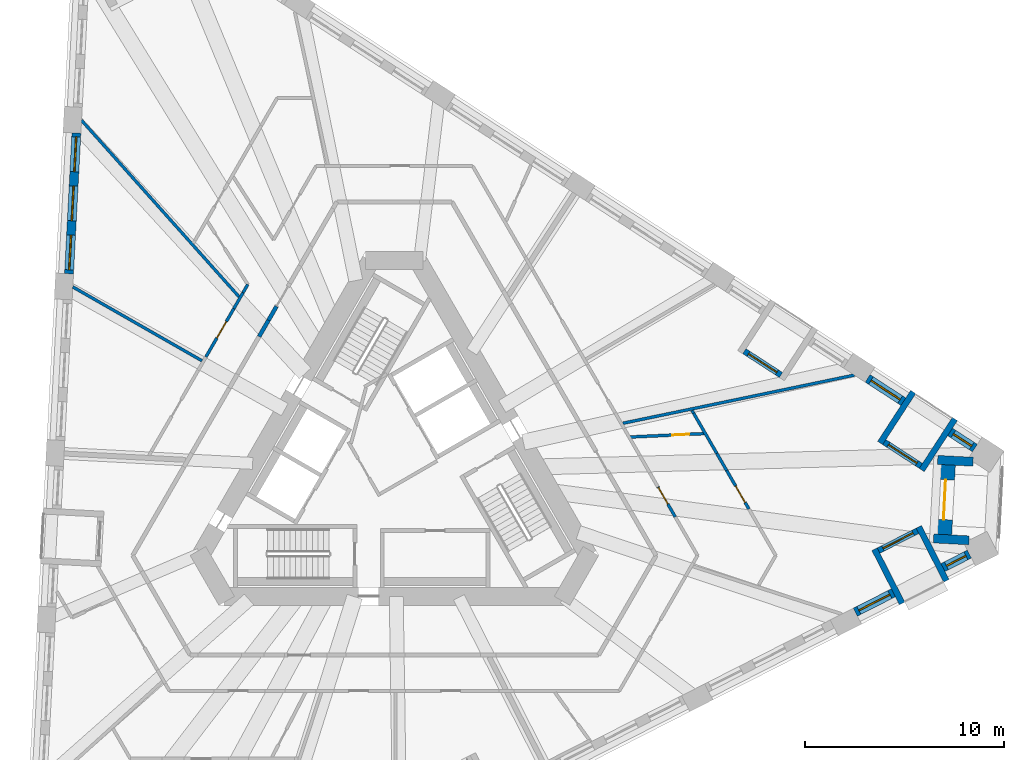
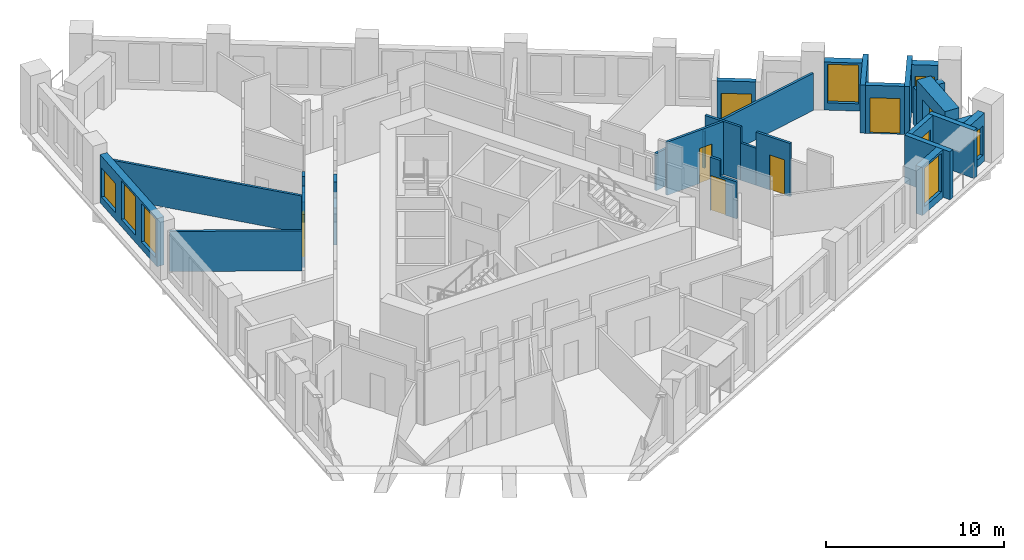
# One storey, part 6 of 12: 29 walls, 8 doors, 7 windows, 15 openings.
"""IFC4 building model written with IfcOpenShell, lengths in metres."""

import ifcopenshell
import ifcopenshell.guid

model = None  # the IFC model being written
_history = None  # IfcOwnerHistory: only IFC2X3 demands one
_inside = {}  # id of a spatial element -> (the spatial element, [elements in it])
_under = {}  # id of a project, library or spatial element -> (it, [spatial elements below it])
_declared = {}  # id of a project -> (the project, [libraries it declares])
_typed = {}  # id of a type object -> (the type object, [elements of that type])
_made_of = {}  # id of a material, layer set ... -> (it, [elements and type objects made of it])


def new_model(schema):
    """Start an empty IFC model of exactly this schema.

    Asked for "IFC4X3", IfcOpenShell would pick the latest addendum, in which some entities
    have other attributes; the version numbers below select the first issue.
    IFC2X3 requires an IfcOwnerHistory on every rooted entity: one is made here for all.
    """
    global model, _history
    if schema == "IFC4X3":
        model = ifcopenshell.file(schema_version=(4, 3, 0, 0))
    else:
        model = ifcopenshell.file(schema=schema)
    _inside.clear()
    _under.clear()
    _declared.clear()
    _typed.clear()
    _made_of.clear()
    _history = None
    if model.schema == "IFC2X3":
        org = make("IfcOrganization", Name="unknown")
        user = make(
            "IfcPersonAndOrganization",
            ThePerson=make("IfcPerson", FamilyName="unknown"),
            TheOrganization=org,
        )
        app = make(
            "IfcApplication",
            ApplicationDeveloper=org,
            Version="unknown",
            ApplicationFullName="unknown",
            ApplicationIdentifier="unknown",
        )
        _history = make(
            "IfcOwnerHistory",
            OwningUser=user,
            OwningApplication=app,
            ChangeAction="ADDED",
            CreationDate=0,
        )
    return model


def make(cls, **values):
    """One entity of the class cls with the attributes given. An attribute that is None is left unset."""
    return model.create_entity(
        cls, **{name: value for name, value in values.items() if value is not None}
    )


def rooted(cls, **values):
    """An entity with a GlobalId (a new one), such as an element, a storey or a relation."""
    return make(cls, GlobalId=ifcopenshell.guid.new(), OwnerHistory=_history, **values)


def si_unit(unit_type, name, prefix=None):
    """IfcSIUnit, for example si_unit("LENGTHUNIT", "METRE", prefix="MILLI")."""
    return make("IfcSIUnit", UnitType=unit_type, Prefix=prefix, Name=name)


def assignment(units):
    """IfcUnitAssignment: the units of a project."""
    return None if units is None else make("IfcUnitAssignment", Units=units)


def point(xyz):
    """IfcCartesianPoint."""
    return None if xyz is None else make("IfcCartesianPoint", Coordinates=xyz)


def direction(xyz):
    """IfcDirection."""
    return None if xyz is None else make("IfcDirection", DirectionRatios=xyz)


def frame(location, z_axis=None, x_axis=None):
    """IfcAxis2Placement3D, a coordinate frame: its origin and axes. An axis left out is left unset."""
    return make(
        "IfcAxis2Placement3D",
        Location=point(location),
        Axis=direction(z_axis),
        RefDirection=direction(x_axis),
    )


def frame_2d(location, x_axis=None):
    """IfcAxis2Placement2D, a coordinate frame in the plane: its origin and x axis."""
    return make(
        "IfcAxis2Placement2D", Location=point(location), RefDirection=direction(x_axis)
    )


def origin():
    """The frame at (0, 0, 0) with its axes left unset."""
    return frame((0.0, 0.0, 0.0))


def place(relative_to, where):
    """IfcLocalPlacement: puts the frame where relative to a parent placement (None: the world)."""
    return make(
        "IfcLocalPlacement", PlacementRelTo=relative_to, RelativePlacement=where
    )


def context(
    kind, dimensions, precision=None, world=None, true_north=None, identifier=None
):
    """IfcGeometricRepresentationContext, for example the 3D "Model" context."""
    return make(
        "IfcGeometricRepresentationContext",
        ContextIdentifier=identifier,
        ContextType=kind,
        CoordinateSpaceDimension=dimensions,
        Precision=precision,
        WorldCoordinateSystem=world,
        TrueNorth=true_north,
    )


def subcontext(parent, identifier, kind, view, scale=None):
    """IfcGeometricRepresentationSubContext, for example "Body" below "Model"."""
    return make(
        "IfcGeometricRepresentationSubContext",
        ContextIdentifier=identifier,
        ContextType=kind,
        ParentContext=parent,
        TargetScale=scale,
        TargetView=view,
    )


def project(units=None, contexts=None):
    """IfcProject with its units and contexts."""
    return rooted(
        "IfcProject",
        Name="project",
        RepresentationContexts=contexts,
        UnitsInContext=assignment(units),
    )


def spatial(cls, under=None, at=None, **own):
    """A site, building, storey or space (cls), placed at a placement, below another one or the project."""
    s = rooted(cls, ObjectPlacement=at, **own)
    if under is not None:
        _under.setdefault(under.id(), (under, []))[1].append(s)
    return s


def polyline(points):
    """IfcPolyline through the points."""
    return make("IfcPolyline", Points=[point(p) for p in points])


def profile(cls, at=None, kind="AREA", **sizes):
    """A parametric profile (cls). Its sizes go by their IFC names, for example OverallWidth=200.0."""
    return make(cls, ProfileType=kind, Position=at, **sizes)


def rectangle(**sizes):
    """IfcRectangleProfileDef."""
    return profile("IfcRectangleProfileDef", **sizes)


def outline(outer, holes=None, kind="AREA"):
    """IfcArbitraryClosedProfileDef: a profile drawn as a closed curve; with holes, ...WithVoids."""
    if holes is None:
        return make("IfcArbitraryClosedProfileDef", ProfileType=kind, OuterCurve=outer)
    return make(
        "IfcArbitraryProfileDefWithVoids",
        ProfileType=kind,
        OuterCurve=outer,
        InnerCurves=holes,
    )


def extrude(swept, where, along, depth):
    """IfcExtrudedAreaSolid: the profile swept, set in the frame where, extruded along a direction by depth."""
    return make(
        "IfcExtrudedAreaSolid",
        SweptArea=swept,
        Position=where,
        ExtrudedDirection=direction(along),
        Depth=depth,
    )


def shape(context_of_items, identifier, shape_type, items):
    """IfcShapeRepresentation: the items that make up one representation, for example the "Body"."""
    return make(
        "IfcShapeRepresentation",
        ContextOfItems=context_of_items,
        RepresentationIdentifier=identifier,
        RepresentationType=shape_type,
        Items=items,
    )


def material(Name=None, Category=None):
    """IfcMaterial."""
    return make("IfcMaterial", Name=Name, Category=Category)


def layer(
    of_material, thickness, ventilated=None, Name=None, Category=None, Priority=None
):
    """IfcMaterialLayer: one layer of a wall or slab, of a material (None: an air gap)."""
    return make(
        "IfcMaterialLayer",
        Material=of_material,
        LayerThickness=thickness,
        IsVentilated=ventilated,
        Name=Name,
        Category=Category,
        Priority=Priority,
    )


def layer_set(layers, Name=None):
    """IfcMaterialLayerSet."""
    return make("IfcMaterialLayerSet", MaterialLayers=layers, LayerSetName=Name)


def made_of(thing, what):
    """Note that an element or type object is made of a material, layer set ...; save() writes the relation."""
    if what is not None:
        _made_of.setdefault(what.id(), (what, []))[1].append(thing)
    return thing


def type_object(cls, material=None, **own):
    """A type object (cls), such as IfcWallType, which elements share."""
    return made_of(rooted(cls, **own), material)


def element(
    cls,
    number,
    at=None,
    inside=None,
    cuts=None,
    type_object=None,
    material=None,
    context=None,
    identifier="Body",
    shape_type=None,
    held_by="IfcProductDefinitionShape",
    body=None,
    shapes=None,
    **own,
):
    """One element of the class cls, such as IfcWall. Its Tag is "e" and its number.

    at: its placement. inside: the storey or other place that contains it. cuts: it is an
    opening in that element (IfcRelVoidsElement). A single representation is given by context,
    identifier, shape_type and body (its items); several are given by shapes. held_by: the class
    of the entity that holds the representations. save() writes the other relations.
    """
    e = rooted(cls, Tag="e%d" % number, ObjectPlacement=at, **own)
    if body is not None:
        shapes = [shape(context, identifier, shape_type, body)]
    if shapes is not None:
        e.Representation = make(held_by, Representations=shapes)
    if inside is not None:
        _inside.setdefault(inside.id(), (inside, []))[1].append(e)
    if cuts is not None:
        rooted(
            "IfcRelVoidsElement", RelatingBuildingElement=cuts, RelatedOpeningElement=e
        )
    if type_object is not None:
        _typed.setdefault(type_object.id(), (type_object, []))[1].append(e)
    return made_of(e, material)


def fill(opening, filler):
    """IfcRelFillsElement: the door or window that sits in an opening."""
    return rooted(
        "IfcRelFillsElement",
        RelatingOpeningElement=opening,
        RelatedBuildingElement=filler,
    )


def aggregate(whole, parts):
    """IfcRelAggregates: a whole, such as a stair, and the parts it consists of."""
    return rooted("IfcRelAggregates", RelatingObject=whole, RelatedObjects=parts)


def save(model, path):
    """Write the relations noted so far, then the file.

    IfcRelAggregates (storeys below a building ...), IfcRelContainedInSpatialStructure (elements
    in a storey), IfcRelDefinesByType, IfcRelAssociatesMaterial and IfcRelDeclares: one each for
    every whole, place, type object, material and project.
    """
    for whole, parts in _under.values():
        aggregate(whole, parts)
    for where, things in _inside.values():
        rooted(
            "IfcRelContainedInSpatialStructure",
            RelatedElements=things,
            RelatingStructure=where,
        )
    for kind, things in _typed.values():
        rooted("IfcRelDefinesByType", RelatedObjects=things, RelatingType=kind)
    for what, things in _made_of.values():
        rooted("IfcRelAssociatesMaterial", RelatedObjects=things, RelatingMaterial=what)
    for by, libraries in _declared.values():
        rooted("IfcRelDeclares", RelatingContext=by, RelatedDefinitions=libraries)
    model.write(path)


model = new_model("IFC4")

# Units and contexts
model_context = context("Model", 3, precision=1e-05, world=origin(), true_north=direction((0.0, 1.0)))
body_context = subcontext(model_context, "Body", "Model", "MODEL_VIEW")
ifc_project = project(units=[si_unit("LENGTHUNIT", "METRE"), si_unit("AREAUNIT", "SQUARE_METRE"), si_unit("VOLUMEUNIT", "CUBIC_METRE"), si_unit("PLANEANGLEUNIT", "RADIAN"), si_unit("MASSUNIT", "GRAM", prefix="KILO")], contexts=[model_context])

# Site, building, storey
site_placement = place(None, origin())
site = spatial("IfcSite", under=ifc_project, at=site_placement, CompositionType="ELEMENT")
building_placement = place(site_placement, origin())
building = spatial("IfcBuilding", under=site, at=building_placement, Name="Tramontana Tower", CompositionType="ELEMENT")
storey_placement = place(building_placement, frame((0.0, 0.0, 133.60009765625)))
storey = spatial("IfcBuildingStorey", under=building, at=storey_placement, Name="L30", CompositionType="ELEMENT", Elevation=133.60009765625)

# Walls
ifc_material_1 = material(Name="Blockwork", Category="masonry")
ifc_layer_1 = layer(ifc_material_1, 0.199951171875)
ifc_layer_set_1 = layer_set([ifc_layer_1], Name="ENTRY WALL 200")
wall_type_1 = type_object("IfcWallType", Name="ENTRY WALL 200", PredefinedType="SOLIDWALL", material=ifc_layer_set_1)
wall_1_placement = place(storey_placement, frame((-6.790283203125, 6.739013671875, 0.0), z_axis=(0.0, 0.0, 1.0), x_axis=(0.500118100521, 0.865957207679, 0.0)))
element("IfcWall", 1, at=wall_1_placement, inside=storey, type_object=wall_type_1, Name="Wall v30-ew4-5", PredefinedType="SOLIDWALL", context=body_context, shape_type="SweptSolid", body=[
    extrude(rectangle(XDim=0.943603515625, YDim=0.199951171875, at=frame_2d((0.4716796875, 0.0))), origin(), (0.0, 0.0, 1.0), 2.5498046875),
])
wall_2_placement = place(storey_placement, frame((-6.318359375, 7.55615234375, 0.0), z_axis=(0.0, 0.0, 1.0), x_axis=(0.499942357345, 0.866058681229, 0.0)))
element("IfcWall", 2, at=wall_2_placement, inside=storey, type_object=wall_type_1, Name="Wall v30-ew4-6", PredefinedType="SOLIDWALL", context=body_context, shape_type="SweptSolid", body=[
    extrude(rectangle(XDim=0.80078125, YDim=0.199951171875, at=frame_2d((0.400390625, 0.0))), origin(), (0.0, 0.0, 1.0), 3.64990234375),
])

# Wall, openings, windows
ifc_material_2 = material(Name="Precast concrete 60 MPa", Category="concrete")
ifc_layer_2 = layer(ifc_material_2, 0.449951171875)
ifc_layer_set_2 = layer_set([ifc_layer_2], Name="Precast concrete 60 MPa, 450 mm")
wall_type_2 = type_object("IfcWallType", Name="EW1 Stone-faced precast wall 450", PredefinedType="SOLIDWALL", material=ifc_layer_set_2)
wall_3_placement = place(storey_placement, frame((-15.959716796875, 16.95166015625, 0.0), z_axis=(0.0, 0.0, 1.0), x_axis=(-0.052337766399, -0.998629439887, 0.0)))
wall_3 = element("IfcWall", 3, at=wall_3_placement, inside=storey, type_object=wall_type_2, Name="External wall L30 face 0 bay 2", PredefinedType="SOLIDWALL", context=body_context, shape_type="SweptSolid", body=[
    extrude(rectangle(XDim=7.07177734375, YDim=0.449951171875, at=frame_2d((3.535888671875, 0.0))), origin(), (0.0, 0.0, 1.0), 3.2998046875),
])
opening_1_placement = place(wall_3_placement, frame((0.1953125, 0.0, 0.5)))
opening_1 = element("IfcOpeningElement", 4, at=opening_1_placement, cuts=wall_3, Name="Opening M2L", PredefinedType="OPENING", context=body_context, shape_type="SweptSolid", body=[
    extrude(rectangle(XDim=1.75, YDim=2.0, at=frame_2d((0.875, 1.0))), frame((0.0, 0.23486328125, 0.0), z_axis=(0.0, -1.0, 0.0), x_axis=(1.0, 0.0, 0.0)), (0.0, 0.0, 1.0), 0.469970703125),
])
opening_2_placement = place(wall_3_placement, frame((2.660888671875, 0.0, 0.5)))
opening_2 = element("IfcOpeningElement", 5, at=opening_2_placement, cuts=wall_3, Name="Opening M2", PredefinedType="OPENING", context=body_context, shape_type="SweptSolid", body=[
    extrude(rectangle(XDim=1.75, YDim=2.64990234375, at=frame_2d((0.875, 1.324951171875))), frame((0.0, 0.23486328125, 0.0), z_axis=(0.0, -1.0, 0.0), x_axis=(1.0, 0.0, 0.0)), (0.0, 0.0, 1.0), 0.469970703125),
])
opening_3_placement = place(wall_3_placement, frame((5.126220703125, 0.0, 0.5)))
opening_3 = element("IfcOpeningElement", 6, at=opening_3_placement, cuts=wall_3, Name="Opening M2", PredefinedType="OPENING", context=body_context, shape_type="SweptSolid", body=[
    extrude(rectangle(XDim=1.75, YDim=2.64990234375, at=frame_2d((0.875, 1.324951171875))), frame((0.0, 0.23486328125, 0.0), z_axis=(0.0, -1.0, 0.0), x_axis=(1.0, 0.0, 0.0)), (0.0, 0.0, 1.0), 0.469970703125),
])
ifc_material_3 = material(Name="Aluminum frame, double glazing unit", Category="aluminium")
window_type_1 = type_object("IfcWindowType", Name="M2 Window 1.75 x 2.65", PartitioningType="SINGLE_PANEL", PredefinedType="WINDOW", material=ifc_material_3)
window_1_placement = place(opening_2_placement, origin())
window_1 = element("IfcWindow", 7, at=window_1_placement, inside=storey, type_object=window_type_1, Name="Window M2 L30 face 0 module 5", OverallHeight=2.64990234375, OverallWidth=1.75, PartitioningType="SINGLE_PANEL", PredefinedType="WINDOW", context=body_context, shape_type="SweptSolid", body=[
    extrude(rectangle(XDim=1.75, YDim=2.64990234375, at=frame_2d((0.875, 1.324951171875))), frame((0.0, 0.030029296875, 0.0), z_axis=(0.0, -1.0, 0.0), x_axis=(1.0, 0.0, 0.0)), (0.0, 0.0, 1.0), 0.06005859375),
])
fill(opening_2, window_1)
window_2_placement = place(opening_3_placement, origin())
window_2 = element("IfcWindow", 8, at=window_2_placement, inside=storey, type_object=window_type_1, Name="Window M2 L30 face 0 module 6", OverallHeight=2.64990234375, OverallWidth=1.75, PartitioningType="SINGLE_PANEL", PredefinedType="WINDOW", context=body_context, shape_type="SweptSolid", body=[
    extrude(rectangle(XDim=1.75, YDim=2.64990234375, at=frame_2d((0.875, 1.324951171875))), frame((0.0, 0.030029296875, 0.0), z_axis=(0.0, -1.0, 0.0), x_axis=(1.0, 0.0, 0.0)), (0.0, 0.0, 1.0), 0.06005859375),
])
fill(opening_3, window_2)
ifc_material_4 = material(Name="Aluminum frame, double glazing unit", Category="aluminium")
window_type_2 = type_object("IfcWindowType", Name="M2L Window 1.75 x 2", PartitioningType="SINGLE_PANEL", PredefinedType="WINDOW", material=ifc_material_4)
window_3_placement = place(opening_1_placement, origin())
window_3 = element("IfcWindow", 9, at=window_3_placement, inside=storey, type_object=window_type_2, Name="Window M2L L30 face 0 module 4", OverallHeight=2.0, OverallWidth=1.75, PartitioningType="SINGLE_PANEL", PredefinedType="WINDOW", context=body_context, shape_type="SweptSolid", body=[
    extrude(rectangle(XDim=1.75, YDim=2.0, at=frame_2d((0.875, 1.0))), frame((0.0, 0.030029296875, 0.0), z_axis=(0.0, -1.0, 0.0), x_axis=(1.0, 0.0, 0.0)), (0.0, 0.0, 1.0), 0.06005859375),
])
fill(opening_1, window_3)

# Wall, opening, window
wall_4_placement = place(storey_placement, frame((23.1357421875, -7.094970703125, 0.0), z_axis=(0.0, 0.0, 1.0), x_axis=(0.890979432498, 0.454043666254, 0.0)))
wall_4 = element("IfcWall", 10, at=wall_4_placement, inside=storey, type_object=wall_type_2, Name="External wall L30 face 1 bay 6", PredefinedType="SOLIDWALL", context=body_context, shape_type="SweptSolid", body=[
    extrude(rectangle(XDim=2.140625, YDim=0.449951171875, at=frame_2d((1.0703125, 0.0))), origin(), (0.0, 0.0, 1.0), 3.2998046875),
])
opening_4_placement = place(wall_4_placement, frame((0.1953125, 0.0, 0.5)))
opening_4 = element("IfcOpeningElement", 11, at=opening_4_placement, cuts=wall_4, Name="Opening M2", PredefinedType="OPENING", context=body_context, shape_type="SweptSolid", body=[
    extrude(rectangle(XDim=1.75, YDim=2.64990234375, at=frame_2d((0.875, 1.324951171875))), frame((0.0, 0.23486328125, 0.0), z_axis=(0.0, -1.0, 0.0), x_axis=(1.0, 0.0, 0.0)), (0.0, 0.0, 1.0), 0.469970703125),
])
window_4_placement = place(opening_4_placement, origin())
window_4 = element("IfcWindow", 12, at=window_4_placement, inside=storey, type_object=window_type_1, Name="Window M2 L30 face 1 module 16", OverallHeight=2.64990234375, OverallWidth=1.75, PartitioningType="SINGLE_PANEL", PredefinedType="WINDOW", context=body_context, shape_type="SweptSolid", body=[
    extrude(rectangle(XDim=1.75, YDim=2.64990234375, at=frame_2d((0.875, 1.324951171875))), frame((0.0, 0.030029296875, 0.0), z_axis=(0.0, -1.0, 0.0), x_axis=(1.0, 0.0, 0.0)), (0.0, 0.0, 1.0), 0.06005859375),
])
fill(opening_4, window_4)

wall_5_placement = place(storey_placement, frame((27.529296875, -4.856201171875, 0.0), z_axis=(0.0, 0.0, 1.0), x_axis=(0.890994495378, 0.454014106836, 0.0)))
wall_5 = element("IfcWall", 13, at=wall_5_placement, inside=storey, type_object=wall_type_2, Name="External wall L30 face 1 bay 6", PredefinedType="SOLIDWALL", context=body_context, shape_type="SweptSolid", body=[
    extrude(rectangle(XDim=1.49072265625, YDim=0.449951171875, at=frame_2d((0.745361328125, 0.0))), origin(), (0.0, 0.0, 1.0), 3.2998046875),
])
opening_5_placement = place(wall_5_placement, frame((0.1953125, 0.0, 0.5)))
opening_5 = element("IfcOpeningElement", 14, at=opening_5_placement, cuts=wall_5, Name="Opening N2L", PredefinedType="OPENING", context=body_context, shape_type="SweptSolid", body=[
    extrude(rectangle(XDim=1.10009765625, YDim=2.0, at=frame_2d((0.550048828125, 1.0))), frame((0.0, 0.23486328125, 0.0), z_axis=(0.0, -1.0, 0.0), x_axis=(1.0, 0.0, 0.0)), (0.0, 0.0, 1.0), 0.469970703125),
])
ifc_material_5 = material(Name="Aluminum frame, double glazing unit", Category="aluminium")
window_type_3 = type_object("IfcWindowType", Name="N2L Window 1.1 x 2", PartitioningType="SINGLE_PANEL", PredefinedType="WINDOW", material=ifc_material_5)
window_5_placement = place(opening_5_placement, origin())
window_5 = element("IfcWindow", 15, at=window_5_placement, inside=storey, type_object=window_type_3, Name="Window N2L L30 face 1 module 18", OverallHeight=2.0, OverallWidth=1.10009765625, PartitioningType="SINGLE_PANEL", PredefinedType="WINDOW", context=body_context, shape_type="SweptSolid", body=[
    extrude(rectangle(XDim=1.10009765625, YDim=2.0, at=frame_2d((0.550048828125, 1.0))), frame((0.0, 0.030029296875, 0.0), z_axis=(0.0, -1.0, 0.0), x_axis=(1.0, 0.0, 0.0)), (0.0, 0.0, 1.0), 0.06005859375),
])
fill(opening_5, window_5)

wall_6_placement = place(storey_placement, frame((29.13623046875, 1.14013671875, 0.0), z_axis=(0.0, 0.0, 1.0), x_axis=(-0.838668089672, 0.544642851203, 0.0)))
wall_6 = element("IfcWall", 16, at=wall_6_placement, inside=storey, type_object=wall_type_2, Name="External wall L30 face 2 bay 1", PredefinedType="SOLIDWALL", context=body_context, shape_type="SweptSolid", body=[
    extrude(rectangle(XDim=1.490478515625, YDim=0.449951171875, at=frame_2d((0.7451171875, 0.0))), origin(), (0.0, 0.0, 1.0), 3.2998046875),
])
opening_6_placement = place(wall_6_placement, frame((0.1953125, 0.0, 0.5)))
opening_6 = element("IfcOpeningElement", 17, at=opening_6_placement, cuts=wall_6, Name="Opening N2L", PredefinedType="OPENING", context=body_context, shape_type="SweptSolid", body=[
    extrude(rectangle(XDim=1.10009765625, YDim=2.0, at=frame_2d((0.550048828125, 1.0))), frame((0.0, 0.23486328125, 0.0), z_axis=(0.0, -1.0, 0.0), x_axis=(1.0, 0.0, 0.0)), (0.0, 0.0, 1.0), 0.469970703125),
])
window_6_placement = place(opening_6_placement, origin())
window_6 = element("IfcWindow", 18, at=window_6_placement, inside=storey, type_object=window_type_3, Name="Window N2L L30 face 2 module 1", OverallHeight=2.0, OverallWidth=1.10009765625, PartitioningType="SINGLE_PANEL", PredefinedType="WINDOW", context=body_context, shape_type="SweptSolid", body=[
    extrude(rectangle(XDim=1.10009765625, YDim=2.0, at=frame_2d((0.550048828125, 1.0))), frame((0.0, 0.030029296875, 0.0), z_axis=(0.0, -1.0, 0.0), x_axis=(1.0, 0.0, 0.0)), (0.0, 0.0, 1.0), 0.06005859375),
])
fill(opening_6, window_6)

wall_7_placement = place(storey_placement, frame((25.5458984375, 3.471923828125, 0.0), z_axis=(0.0, 0.0, 1.0), x_axis=(-0.838675466927, 0.544631491171, 0.0)))
wall_7 = element("IfcWall", 19, at=wall_7_placement, inside=storey, type_object=wall_type_2, Name="External wall L30 face 2 bay 1", PredefinedType="SOLIDWALL", context=body_context, shape_type="SweptSolid", body=[
    extrude(rectangle(XDim=2.140380859375, YDim=0.449951171875, at=frame_2d((1.0703125, 0.0))), origin(), (0.0, 0.0, 1.0), 3.2998046875),
])
opening_7_placement = place(wall_7_placement, frame((0.1953125, 0.0, 0.5)))
opening_7 = element("IfcOpeningElement", 20, at=opening_7_placement, cuts=wall_7, Name="Opening M2", PredefinedType="OPENING", context=body_context, shape_type="SweptSolid", body=[
    extrude(rectangle(XDim=1.75, YDim=2.64990234375, at=frame_2d((0.875, 1.324951171875))), frame((0.0, 0.23486328125, 0.0), z_axis=(0.0, -1.0, 0.0), x_axis=(1.0, 0.0, 0.0)), (0.0, 0.0, 1.0), 0.469970703125),
])
window_7_placement = place(opening_7_placement, origin())
window_7 = element("IfcWindow", 21, at=window_7_placement, inside=storey, type_object=window_type_1, Name="Window M2 L30 face 2 module 3", OverallHeight=2.64990234375, OverallWidth=1.75, PartitioningType="SINGLE_PANEL", PredefinedType="WINDOW", context=body_context, shape_type="SweptSolid", body=[
    extrude(rectangle(XDim=1.75, YDim=2.64990234375, at=frame_2d((0.875, 1.324951171875))), frame((0.0, 0.030029296875, 0.0), z_axis=(0.0, -1.0, 0.0), x_axis=(1.0, 0.0, 0.0)), (0.0, 0.0, 1.0), 0.06005859375),
])
fill(opening_7, window_7)

# Walls
for number, where, z_axis, x_axis, name in (
    (22, (29.04296875, 0.45556640625, 0.0), (0.0, 0.0, 1.0), (-0.998625399692, 0.05241479839, 0.0), "Corner loggia side wall L30 K32l"),
    (23, (28.836181640625, -3.489013671875, 0.0), (0.0, 0.0, 1.0), (-0.998625399692, 0.05241479839, 0.0), "Corner loggia side wall L30 K32r"),
):
    element("IfcWall", number, at=place(storey_placement, frame(where, z_axis=z_axis, x_axis=x_axis)), inside=storey, type_object=wall_type_2, Name=name, PredefinedType="SOLIDWALL", context=body_context, shape_type="SweptSolid", body=[
        extrude(rectangle(XDim=1.779296875, YDim=0.449951171875, at=frame_2d((0.8896484375, 0.0))), origin(), (0.0, 0.0, 1.0), 2.5498046875),
    ])

# Wall, opening, door
ifc_material_6 = material(Name="Precast concrete 60 MPa", Category="concrete")
ifc_layer_3 = layer(ifc_material_6, 0.89990234375)
ifc_layer_set_3 = layer_set([ifc_layer_3], Name="EW2 Stone-faced corner loggia wall 900")
wall_type_3 = type_object("IfcWallType", Name="EW2 Stone-faced corner loggia wall 900", PredefinedType="SOLIDWALL", material=ifc_layer_set_3)
wall_8_placement = place(storey_placement, frame((27.70361328125, 0.300537109375, 0.0), z_axis=(0.0, 0.0, 1.0), x_axis=(-0.052317189757, -0.998630518088, 0.0)))
wall_8 = element("IfcWall", 24, at=wall_8_placement, inside=storey, type_object=wall_type_3, Name="Corner loggia wall L30 K32", PredefinedType="SOLIDWALL", context=body_context, shape_type="SweptSolid", body=[
    extrude(rectangle(XDim=3.5, YDim=0.89990234375, at=frame_2d((1.75, 0.0))), origin(), (0.0, 0.0, 1.0), 3.2998046875),
])
opening_8_placement = place(wall_8_placement, frame((0.75, 0.0, 0.0)))
opening_8 = element("IfcOpeningElement", 25, at=opening_8_placement, cuts=wall_8, Name="Opening BD-32C", PredefinedType="OPENING", context=body_context, shape_type="SweptSolid", body=[
    extrude(rectangle(XDim=2.0, YDim=2.39990234375, at=frame_2d((1.0, 1.199951171875))), frame((0.0, 0.4599609375, 0.0), z_axis=(0.0, -1.0, 0.0), x_axis=(1.0, 0.0, 0.0)), (0.0, 0.0, 1.0), 0.919921875),
])
ifc_material_7 = material(Name="Aluminum frame, double glazing unit", Category="aluminium")
door_type_1 = type_object("IfcDoorType", Name="BC1 Sliding door 2 x 2.4", OperationType="SLIDING_TO_LEFT", PredefinedType="DOOR", material=ifc_material_7)
door_1_placement = place(opening_8_placement, origin())
door_1 = element("IfcDoor", 26, at=door_1_placement, inside=storey, type_object=door_type_1, Name="Corner loggia door L30 K32", OperationType="SLIDING_TO_LEFT", OverallHeight=2.39990234375, OverallWidth=2.0, PredefinedType="DOOR", context=body_context, shape_type="SweptSolid", body=[
    extrude(rectangle(XDim=2.0, YDim=2.39990234375, at=frame_2d((1.0, 1.199951171875))), frame((0.0, 0.02490234375, 0.0), z_axis=(0.0, -1.0, 0.0), x_axis=(1.0, 0.0, 0.0)), (0.0, 0.0, 1.0), 0.050048828125),
])
fill(opening_8, door_1)

ifc_material_8 = material(Name="Precast concrete 60 MPa", Category="concrete")
ifc_layer_4 = layer(ifc_material_8, 0.300048828125)
ifc_layer_set_4 = layer_set([ifc_layer_4], Name="LW1 Stone-faced loggia wall 300")
wall_type_4 = type_object("IfcWallType", Name="LW1 Stone-faced loggia wall 300", PredefinedType="SOLIDWALL", material=ifc_layer_set_4)
wall_9_placement = place(storey_placement, frame((24.30029296875, -4.00439453125, 0.0), z_axis=(0.0, 0.0, 1.0), x_axis=(0.891013126725, 0.4539775413, 0.0)))
wall_9 = element("IfcWall", 27, at=wall_9_placement, inside=storey, type_object=wall_type_4, Name="Loggia wall L30 G3S1.16", PredefinedType="SOLIDWALL", context=body_context, shape_type="SweptSolid", body=[
    extrude(rectangle(XDim=2.1904296875, YDim=0.300048828125, at=frame_2d((1.09521484375, 0.0))), origin(), (0.0, 0.0, 1.0), 3.2998046875),
])
opening_9_placement = place(wall_9_placement, frame((0.245361328125, 0.0, 0.0)))
opening_9 = element("IfcOpeningElement", 28, at=opening_9_placement, cuts=wall_9, Name="Opening BD-3S1-16", PredefinedType="OPENING", context=body_context, shape_type="SweptSolid", body=[
    extrude(rectangle(XDim=1.699951171875, YDim=2.449951171875, at=frame_2d((0.85009765625, 1.22509765625))), frame((0.0, 0.159912109375, 0.0), z_axis=(0.0, -1.0, 0.0), x_axis=(1.0, 0.0, 0.0)), (0.0, 0.0, 1.0), 0.320068359375),
])
ifc_material_9 = material(Name="Aluminum frame, double glazing unit", Category="aluminium")
door_type_2 = type_object("IfcDoorType", Name="BD2 Sliding door 1.7 x 2.45", OperationType="SLIDING_TO_LEFT", PredefinedType="DOOR", material=ifc_material_9)
door_2_placement = place(opening_9_placement, origin())
door_2 = element("IfcDoor", 29, at=door_2_placement, inside=storey, type_object=door_type_2, Name="Loggia door L30 G3S1.16", OperationType="SLIDING_TO_LEFT", OverallHeight=2.449951171875, OverallWidth=1.699951171875, PredefinedType="DOOR", context=body_context, shape_type="SweptSolid", body=[
    extrude(rectangle(XDim=1.699951171875, YDim=2.449951171875, at=frame_2d((0.85009765625, 1.22509765625))), frame((0.0, 0.02490234375, 0.0), z_axis=(0.0, -1.0, 0.0), x_axis=(1.0, 0.0, 0.0)), (0.0, 0.0, 1.0), 0.050048828125),
])
fill(opening_9, door_2)

# Walls
wall_10_placement = place(storey_placement, frame((25.483154296875, -6.656494140625, 0.0), z_axis=(0.0, 0.0, 1.0), x_axis=(-0.453988129332, 0.891007731968, 0.0)))
element("IfcWall", 30, at=wall_10_placement, inside=storey, type_object=wall_type_4, Name="Loggia return L30 G3S1.16a", PredefinedType="SOLIDWALL", context=body_context, shape_type="SweptSolid", body=[
    extrude(rectangle(XDim=3.05029296875, YDim=0.300048828125, at=frame_2d((1.525146484375, 0.0))), origin(), (0.0, 0.0, 1.0), 3.2998046875),
])
wall_11_placement = place(storey_placement, frame((27.7021484375, -5.525634765625, 0.0), z_axis=(0.0, 0.0, 1.0), x_axis=(-0.453956959009, 0.891023613249, 0.0)))
element("IfcWall", 31, at=wall_11_placement, inside=storey, type_object=wall_type_4, Name="Loggia return L30 G3S1.16b", PredefinedType="SOLIDWALL", context=body_context, shape_type="SweptSolid", body=[
    extrude(rectangle(XDim=3.0498046875, YDim=0.300048828125, at=frame_2d((1.52490234375, 0.0))), origin(), (0.0, 0.0, 1.0), 3.2998046875),
])

# Wall, opening, door
wall_12_placement = place(storey_placement, frame((26.4228515625, 0.249267578125, 0.0), z_axis=(0.0, 0.0, 1.0), x_axis=(-0.838659986147, 0.544655329209, 0.0)))
wall_12 = element("IfcWall", 32, at=wall_12_placement, inside=storey, type_object=wall_type_4, Name="Loggia wall L30 G3S2.1", PredefinedType="SOLIDWALL", context=body_context, shape_type="SweptSolid", body=[
    extrude(rectangle(XDim=2.190673828125, YDim=0.300048828125, at=frame_2d((1.09521484375, 0.0))), origin(), (0.0, 0.0, 1.0), 3.2998046875),
])
opening_10_placement = place(wall_12_placement, frame((0.245361328125, 0.0, 0.0)))
opening_10 = element("IfcOpeningElement", 33, at=opening_10_placement, cuts=wall_12, Name="Opening BD-3S2-01", PredefinedType="OPENING", context=body_context, shape_type="SweptSolid", body=[
    extrude(rectangle(XDim=1.699951171875, YDim=2.449951171875, at=frame_2d((0.85009765625, 1.22509765625))), frame((0.0, 0.159912109375, 0.0), z_axis=(0.0, -1.0, 0.0), x_axis=(1.0, 0.0, 0.0)), (0.0, 0.0, 1.0), 0.320068359375),
])
door_3_placement = place(opening_10_placement, origin())
door_3 = element("IfcDoor", 34, at=door_3_placement, inside=storey, type_object=door_type_2, Name="Loggia door L30 G3S2.1", OperationType="SLIDING_TO_LEFT", OverallHeight=2.449951171875, OverallWidth=1.699951171875, PredefinedType="DOOR", context=body_context, shape_type="SweptSolid", body=[
    extrude(rectangle(XDim=1.699951171875, YDim=2.449951171875, at=frame_2d((0.85009765625, 1.22509765625))), frame((0.0, 0.02490234375, 0.0), z_axis=(0.0, -1.0, 0.0), x_axis=(1.0, 0.0, 0.0)), (0.0, 0.0, 1.0), 0.050048828125),
])
fill(opening_10, door_3)

# Walls
for number, where, z_axis, x_axis, name in (
    (35, (28.1279296875, 2.599853515625, 0.0), (0.0, 0.0, 1.0), (-0.544611292451, -0.838688583525, 0.0), "Loggia return L30 G3S2.1a"),
    (36, (26.039306640625, 3.956298828125, 0.0), (0.0, 0.0, 1.0), (-0.544611292451, -0.838688583525, 0.0), "Loggia return L30 G3S2.1b"),
):
    element("IfcWall", number, at=place(storey_placement, frame(where, z_axis=z_axis, x_axis=x_axis)), inside=storey, type_object=wall_type_4, Name=name, PredefinedType="SOLIDWALL", context=body_context, shape_type="SweptSolid", body=[
        extrude(rectangle(XDim=3.050048828125, YDim=0.300048828125, at=frame_2d((1.52490234375, 0.0))), origin(), (0.0, 0.0, 1.0), 3.2998046875),
    ])

# Wall, opening, door
wall_13_placement = place(storey_placement, frame((19.40185546875, 4.808837890625, 0.0), z_axis=(0.0, 0.0, 1.0), x_axis=(-0.838659986147, 0.544655329209, 0.0)))
wall_13 = element("IfcWall", 37, at=wall_13_placement, inside=storey, type_object=wall_type_4, Name="Loggia wall L30 G3S2.4", PredefinedType="SOLIDWALL", context=body_context, shape_type="SweptSolid", body=[
    extrude(rectangle(XDim=2.190673828125, YDim=0.300048828125, at=frame_2d((1.09521484375, 0.0))), origin(), (0.0, 0.0, 1.0), 3.2998046875),
])
opening_11_placement = place(wall_13_placement, frame((0.245361328125, 0.0, 0.0)))
opening_11 = element("IfcOpeningElement", 38, at=opening_11_placement, cuts=wall_13, Name="Opening BD-3S2-04", PredefinedType="OPENING", context=body_context, shape_type="SweptSolid", body=[
    extrude(rectangle(XDim=1.699951171875, YDim=2.449951171875, at=frame_2d((0.85009765625, 1.22509765625))), frame((0.0, 0.159912109375, 0.0), z_axis=(0.0, -1.0, 0.0), x_axis=(1.0, 0.0, 0.0)), (0.0, 0.0, 1.0), 0.320068359375),
])
door_4_placement = place(opening_11_placement, origin())
door_4 = element("IfcDoor", 39, at=door_4_placement, inside=storey, type_object=door_type_2, Name="Loggia door L30 G3S2.4", OperationType="SLIDING_TO_LEFT", OverallHeight=2.449951171875, OverallWidth=1.699951171875, PredefinedType="DOOR", context=body_context, shape_type="SweptSolid", body=[
    extrude(rectangle(XDim=1.699951171875, YDim=2.449951171875, at=frame_2d((0.85009765625, 1.22509765625))), frame((0.0, 0.02490234375, 0.0), z_axis=(0.0, -1.0, 0.0), x_axis=(1.0, 0.0, 0.0)), (0.0, 0.0, 1.0), 0.050048828125),
])
fill(opening_11, door_4)

ifc_material_10 = material(Name="Gypsum board partition")
ifc_layer_5 = layer(ifc_material_10, 0.14990234375)
ifc_layer_set_5 = layer_set([ifc_layer_5], Name="PARTITION 150")
wall_type_5 = type_object("IfcWallType", Name="PARTITION 150", PredefinedType="PARTITIONING", material=ifc_layer_set_5)
wall_14_placement = place(storey_placement, frame((-9.457763671875, 5.71875, 0.0), z_axis=(0.0, 0.0, 1.0), x_axis=(0.499996941814, 0.866027169422, 0.0)))
wall_14 = element("IfcWall", 40, at=wall_14_placement, inside=storey, type_object=wall_type_5, Name="Wall v30-pw04-3", PredefinedType="PARTITIONING", context=body_context, shape_type="SweptSolid", body=[
    extrude(rectangle(XDim=2.79736328125, YDim=0.14990234375, at=frame_2d((1.398681640625, 0.0))), origin(), (0.0, 0.0, 1.0), 3.64990234375),
])
opening_12_placement = place(wall_14_placement, frame((1.099853515625, 0.0, 0.0)))
opening_12 = element("IfcOpeningElement", 41, at=opening_12_placement, cuts=wall_14, Name="Opening B3A-05", PredefinedType="OPENING", context=body_context, shape_type="SweptSolid", body=[
    extrude(rectangle(XDim=0.949951171875, YDim=2.39990234375, at=frame_2d((0.47509765625, 1.199951171875))), frame((0.0, 0.0849609375, 0.0), z_axis=(0.0, -1.0, 0.0), x_axis=(1.0, 0.0, 0.0)), (0.0, 0.0, 1.0), 0.169921875),
])
ifc_material_11 = material(Name="Painted timber", Category="wood")
door_type_3 = type_object("IfcDoorType", Name="DOOR ROOM 950", OperationType="SINGLE_SWING_LEFT", PredefinedType="DOOR", material=ifc_material_11)
door_5_placement = place(opening_12_placement, origin())
door_5 = element("IfcDoor", 42, at=door_5_placement, inside=storey, type_object=door_type_3, Name="Door B3A-05", OperationType="SINGLE_SWING_LEFT", OverallHeight=2.39990234375, OverallWidth=0.949951171875, PredefinedType="DOOR", context=body_context, shape_type="SweptSolid", body=[
    extrude(rectangle(XDim=0.949951171875, YDim=2.39990234375, at=frame_2d((0.47509765625, 1.199951171875))), frame((0.0, 0.02490234375, 0.0), z_axis=(0.0, -1.0, 0.0), x_axis=(1.0, 0.0, 0.0)), (0.0, 0.0, 1.0), 0.050048828125),
])
fill(opening_12, door_5)

# Walls
wall_15_placement = place(storey_placement, frame((-8.05908203125, 8.141357421875, 0.0), z_axis=(0.0, 0.0, 1.0), x_axis=(0.500060322201, 0.865990573944, 0.0)))
element("IfcWall", 43, at=wall_15_placement, inside=storey, type_object=wall_type_5, Name="Wall v30-pw04-4", PredefinedType="PARTITIONING", context=body_context, shape_type="SweptSolid", body=[
    extrude(rectangle(XDim=0.91748046875, YDim=0.14990234375, at=frame_2d((0.458740234375, 0.0))), origin(), (0.0, 0.0, 1.0), 2.5498046875),
])
wall_16_placement = place(storey_placement, frame((-7.600341796875, 8.935791015625, 0.0), z_axis=(0.0, 0.0, 1.0), x_axis=(0.499941024108, 0.866059450854, 0.0)))
element("IfcWall", 44, at=wall_16_placement, inside=storey, type_object=wall_type_5, Name="Wall v30-pw04-5", PredefinedType="PARTITIONING", context=body_context, shape_type="SweptSolid", body=[
    extrude(rectangle(XDim=0.4833984375, YDim=0.14990234375, at=frame_2d((0.24169921875, 0.0))), origin(), (0.0, 0.0, 1.0), 3.64990234375),
])
wall_17_placement = place(storey_placement, frame((-9.65771484375, 5.5224609375, 0.0), z_axis=(0.0, 0.0, 1.0), x_axis=(-0.868078092768, 0.496427663267, 0.0)))
element("IfcWall", 45, at=wall_17_placement, inside=storey, type_object=wall_type_5, Name="Wall v30-pw08-0", PredefinedType="PARTITIONING", context=body_context, shape_type="SweptSolid", body=[
    extrude(rectangle(XDim=7.466552734375, YDim=0.14990234375, at=frame_2d((3.7333984375, 0.0))), origin(), (0.0, 0.0, 1.0), 2.75),
])
wall_18_placement = place(storey_placement, frame((-7.80078125, 8.73876953125, 0.0), z_axis=(0.0, 0.0, 1.0), x_axis=(-0.665934790779, 0.746009955986, 0.0)))
element("IfcWall", 46, at=wall_18_placement, inside=storey, type_object=wall_type_5, Name="Wall v30-pw10-0", PredefinedType="PARTITIONING", context=body_context, shape_type="SweptSolid", body=[
    extrude(rectangle(XDim=11.86328125, YDim=0.14990234375, at=frame_2d((5.931640625, 0.0))), origin(), (0.0, 0.0, 1.0), 2.5498046875),
])

# Wall, opening, door
wall_19_placement = place(storey_placement, frame((13.224609375, -0.8056640625, 0.0), z_axis=(0.0, 0.0, 1.0), x_axis=(0.500006134913, -0.866021861762, 0.0)))
wall_19 = element("IfcWall", 47, at=wall_19_placement, inside=storey, type_object=wall_type_5, Name="Wall v30-pw20-9", PredefinedType="PARTITIONING", context=body_context, shape_type="SweptSolid", body=[
    extrude(outline(polyline([(0.0, 0.0), (1.73828125, 0.0), (1.73828125, 2.5498046875), (0.634521484375, 2.5498046875), (0.634521484375, 3.64990234375), (0.0, 3.64990234375), (0.0, 0.0)])), frame((0.0, 0.074951171875, 0.0), z_axis=(0.0, -1.0, 0.0), x_axis=(1.0, 0.0, 0.0)), (0.0, 0.0, 1.0), 0.14990234375),
])
opening_13_placement = place(wall_19_placement, frame((0.050048828125, 0.0, 0.0)))
opening_13 = element("IfcOpeningElement", 48, at=opening_13_placement, cuts=wall_19, Name="Opening B3A-13", PredefinedType="OPENING", context=body_context, shape_type="SweptSolid", body=[
    extrude(rectangle(XDim=0.949951171875, YDim=2.39990234375, at=frame_2d((0.47509765625, 1.199951171875))), frame((0.0, 0.0849609375, 0.0), z_axis=(0.0, -1.0, 0.0), x_axis=(1.0, 0.0, 0.0)), (0.0, 0.0, 1.0), 0.169921875),
])
door_6_placement = place(opening_13_placement, origin())
door_6 = element("IfcDoor", 49, at=door_6_placement, inside=storey, type_object=door_type_3, Name="Door B3A-13", OperationType="SINGLE_SWING_LEFT", OverallHeight=2.39990234375, OverallWidth=0.949951171875, PredefinedType="DOOR", context=body_context, shape_type="SweptSolid", body=[
    extrude(rectangle(XDim=0.949951171875, YDim=2.39990234375, at=frame_2d((0.47509765625, 1.199951171875))), frame((0.0, 0.02490234375, 0.0), z_axis=(0.0, -1.0, 0.0), x_axis=(1.0, 0.0, 0.0)), (0.0, 0.0, 1.0), 0.050048828125),
])
fill(opening_13, door_6)

# Wall
wall_20_placement = place(storey_placement, frame((11.46826171875, 2.38623046875, 0.0), z_axis=(0.0, 0.0, 1.0), x_axis=(0.979030724859, 0.203712640211, 0.0)))
element("IfcWall", 50, at=wall_20_placement, inside=storey, type_object=wall_type_5, Name="Wall v30-pw29-0", PredefinedType="PARTITIONING", context=body_context, shape_type="SweptSolid", body=[
    extrude(rectangle(XDim=11.863525390625, YDim=0.14990234375, at=frame_2d((5.931640625, 0.0))), origin(), (0.0, 0.0, 1.0), 2.5498046875),
])

# Wall, opening, door
wall_21_placement = place(storey_placement, frame((11.783935546875, 1.693603515625, 0.0), z_axis=(0.0, 0.0, 1.0), x_axis=(0.998933757579, 0.046166524337, 0.0)))
wall_21 = element("IfcWall", 51, at=wall_21_placement, inside=storey, type_object=wall_type_5, Name="Wall v30-pw30", PredefinedType="PARTITIONING", context=body_context, shape_type="SweptSolid", body=[
    extrude(rectangle(XDim=3.823486328125, YDim=0.14990234375, at=frame_2d((1.91162109375, 0.0))), origin(), (0.0, 0.0, 1.0), 3.64990234375),
])
opening_14_placement = place(wall_21_placement, frame((2.169921875, 0.0, 0.0)))
opening_14 = element("IfcOpeningElement", 52, at=opening_14_placement, cuts=wall_21, Name="Opening B3A-21", PredefinedType="OPENING", context=body_context, shape_type="SweptSolid", body=[
    extrude(rectangle(XDim=0.85009765625, YDim=2.39990234375, at=frame_2d((0.425048828125, 1.199951171875))), frame((0.0, 0.0849609375, 0.0), z_axis=(0.0, -1.0, 0.0), x_axis=(1.0, 0.0, 0.0)), (0.0, 0.0, 1.0), 0.169921875),
])
ifc_material_12 = material(Name="Painted timber", Category="wood")
door_type_4 = type_object("IfcDoorType", Name="DOOR BATH 850", OperationType="SINGLE_SWING_LEFT", PredefinedType="DOOR", material=ifc_material_12)
door_7_placement = place(opening_14_placement, origin())
door_7 = element("IfcDoor", 53, at=door_7_placement, inside=storey, type_object=door_type_4, Name="Door B3A-21", OperationType="SINGLE_SWING_LEFT", OverallHeight=2.39990234375, OverallWidth=0.85009765625, PredefinedType="DOOR", context=body_context, shape_type="SweptSolid", body=[
    extrude(rectangle(XDim=0.85009765625, YDim=2.39990234375, at=frame_2d((0.425048828125, 1.199951171875))), frame((0.0, 0.02490234375, 0.0), z_axis=(0.0, -1.0, 0.0), x_axis=(1.0, 0.0, 0.0)), (0.0, 0.0, 1.0), 0.050048828125),
])
fill(opening_14, door_7)

# Walls
wall_22_placement = place(storey_placement, frame((14.935546875, 3.031005859375, 0.0), z_axis=(0.0, 0.0, 1.0), x_axis=(0.499298623879, -0.866429964967, 0.0)))
element("IfcWall", 54, at=wall_22_placement, inside=storey, type_object=wall_type_5, Name="Wall v30-pw31-0", PredefinedType="PARTITIONING", context=body_context, shape_type="SweptSolid", body=[
    extrude(rectangle(XDim=0.166259765625, YDim=0.14990234375, at=frame_2d((0.0830078125, 0.0))), origin(), (0.0, 0.0, 1.0), 2.5498046875),
])
wall_23_placement = place(storey_placement, frame((15.0185546875, 2.886962890625, 0.0), z_axis=(0.0, 0.0, 1.0), x_axis=(0.50006548692, -0.865987591592, 0.0)))
element("IfcWall", 55, at=wall_23_placement, inside=storey, type_object=wall_type_5, Name="Wall v30-pw31-1", PredefinedType="PARTITIONING", context=body_context, shape_type="SweptSolid", body=[
    extrude(rectangle(XDim=2.320556640625, YDim=0.14990234375, at=frame_2d((1.16015625, 0.0))), origin(), (0.0, 0.0, 1.0), 3.64990234375),
])
wall_24_placement = place(storey_placement, frame((16.178955078125, 0.87744140625, 0.0), z_axis=(0.0, 0.0, 1.0), x_axis=(0.499991453095, -0.866030338286, 0.0)))
element("IfcWall", 56, at=wall_24_placement, inside=storey, type_object=wall_type_5, Name="Wall v30-pw31-2", PredefinedType="PARTITIONING", context=body_context, shape_type="SweptSolid", body=[
    extrude(rectangle(XDim=0.9951171875, YDim=0.14990234375, at=frame_2d((0.49755859375, 0.0))), origin(), (0.0, 0.0, 1.0), 2.5498046875),
])

# Wall, opening, door
wall_25_placement = place(storey_placement, frame((16.676513671875, 0.015625, 0.0), z_axis=(0.0, 0.0, 1.0), x_axis=(0.499958946799, -0.866049104564, 0.0)))
wall_25 = element("IfcWall", 57, at=wall_25_placement, inside=storey, type_object=wall_type_5, Name="Wall v30-pw31-3", PredefinedType="PARTITIONING", context=body_context, shape_type="SweptSolid", body=[
    extrude(rectangle(XDim=2.234130859375, YDim=0.14990234375, at=frame_2d((1.1171875, 0.0))), origin(), (0.0, 0.0, 1.0), 3.64990234375),
])
opening_15_placement = place(wall_25_placement, frame((0.896240234375, 0.0, 0.0)))
opening_15 = element("IfcOpeningElement", 58, at=opening_15_placement, cuts=wall_25, Name="Opening B3A-19", PredefinedType="OPENING", context=body_context, shape_type="SweptSolid", body=[
    extrude(rectangle(XDim=0.949951171875, YDim=2.39990234375, at=frame_2d((0.47509765625, 1.199951171875))), frame((0.0, 0.0849609375, 0.0), z_axis=(0.0, -1.0, 0.0), x_axis=(1.0, 0.0, 0.0)), (0.0, 0.0, 1.0), 0.169921875),
])
door_8_placement = place(opening_15_placement, origin())
door_8 = element("IfcDoor", 59, at=door_8_placement, inside=storey, type_object=door_type_3, Name="Door B3A-19", OperationType="SINGLE_SWING_LEFT", OverallHeight=2.39990234375, OverallWidth=0.949951171875, PredefinedType="DOOR", context=body_context, shape_type="SweptSolid", body=[
    extrude(rectangle(XDim=0.949951171875, YDim=2.39990234375, at=frame_2d((0.47509765625, 1.199951171875))), frame((0.0, 0.02490234375, 0.0), z_axis=(0.0, -1.0, 0.0), x_axis=(1.0, 0.0, 0.0)), (0.0, 0.0, 1.0), 0.050048828125),
])
fill(opening_15, door_8)

save(model, "model.ifc")
